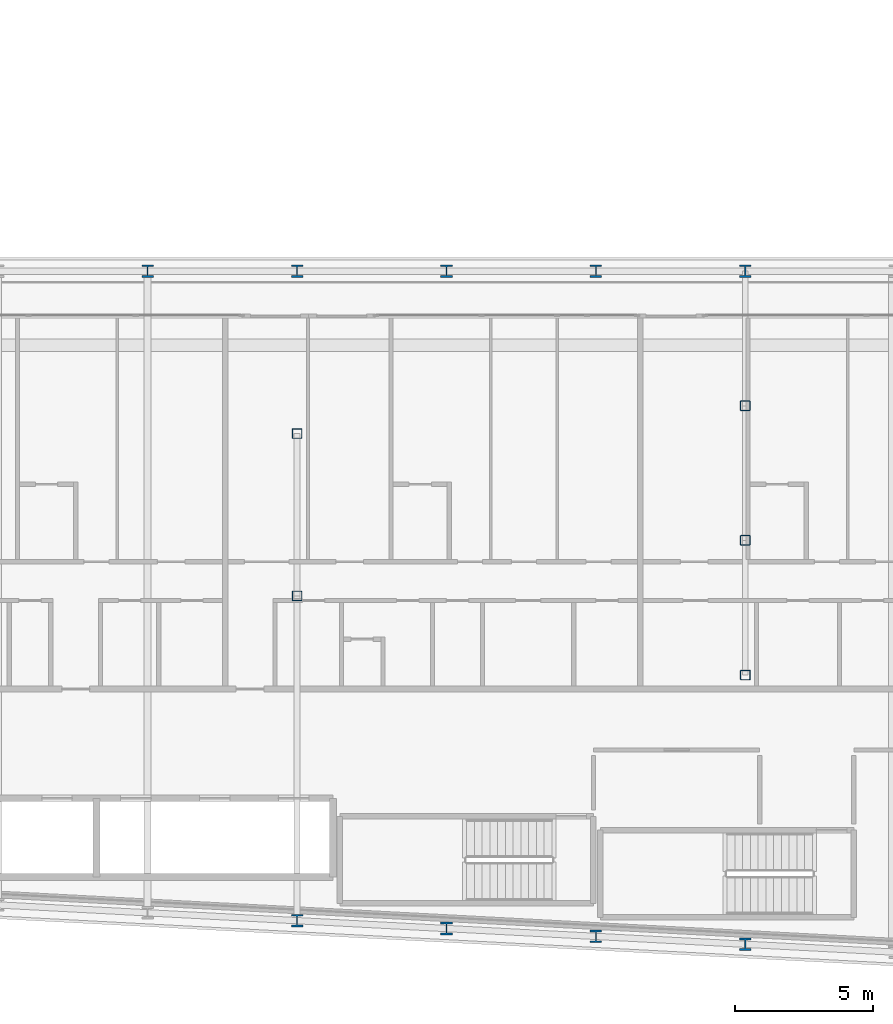
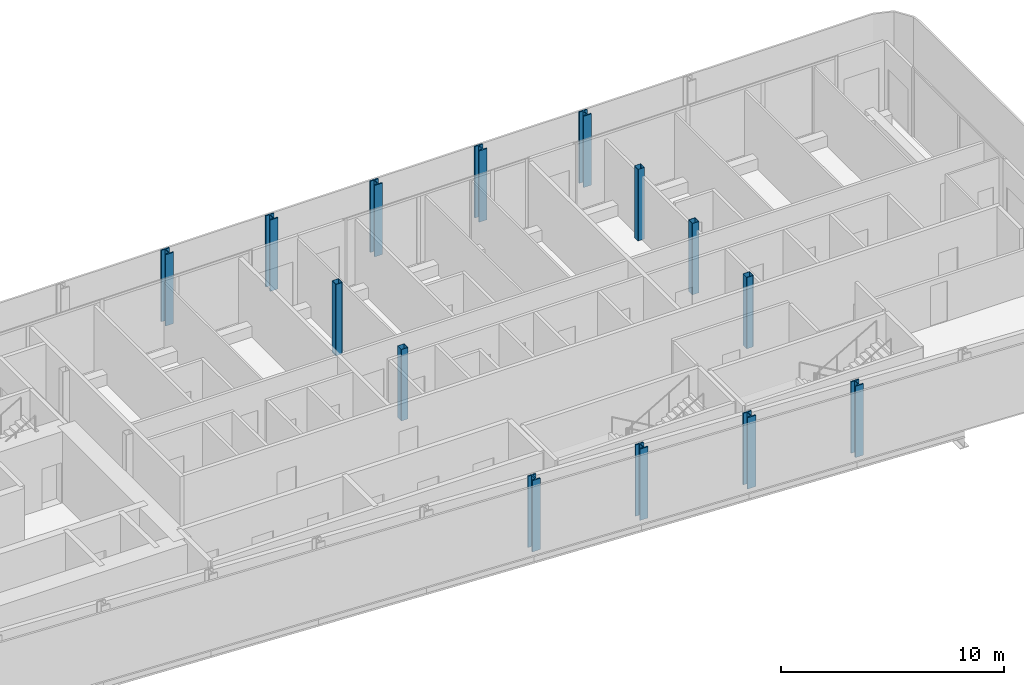
# One storey, part 2 of 29: 14 columns.
"""IFC4 building model written with IfcOpenShell, lengths in metres."""

from ifc_helpers import new_model, si_unit, direction, frame, origin, origin_2d, place, context, subcontext, project, spatial, hollow_rectangle, i_section, extrude, material, material_profile, profile_set, type_object, element, save


model = new_model("IFC4")

# Units and contexts
model_context = context("Model", 3, precision=1e-05, world=origin(), true_north=direction((0.0, 1.0)))
body_context = subcontext(model_context, "Body", "Model", "MODEL_VIEW")
ifc_project = project(units=[si_unit("LENGTHUNIT", "METRE"), si_unit("AREAUNIT", "SQUARE_METRE"), si_unit("VOLUMEUNIT", "CUBIC_METRE"), si_unit("PLANEANGLEUNIT", "RADIAN"), si_unit("MASSUNIT", "GRAM", prefix="KILO")], contexts=[model_context])

# Site, building, storey
site_placement = place(None, origin())
site = spatial("IfcSite", under=ifc_project, at=site_placement, CompositionType="ELEMENT")
building_placement = place(site_placement, origin())
building = spatial("IfcBuilding", under=site, at=building_placement, Name="Kheshtan School and Residences Tower", CompositionType="ELEMENT")
storey_placement = place(building_placement, frame((0.0, 0.0, 117.5)))
storey = spatial("IfcBuildingStorey", under=building, at=storey_placement, Name="L27", CompositionType="ELEMENT", Elevation=117.5)

# Columns
ifc_material_1 = material(Name="Steel ASTM A992 Grade 50", Category="steel")
ifc_material_profile_1 = material_profile(ifc_material_1, i_section(OverallWidth=0.41796875, OverallDepth=0.455078125, WebThickness=0.042236328125, FlangeThickness=0.067626953125, FilletRadius=0.013671875, at=origin_2d()), Name="W360x551")
ifc_profile_set_1 = profile_set([ifc_material_profile_1], Name="Steel ASTM A992 Grade 50")
column_type_1 = type_object("IfcColumnType", Name="Column C2 W360x551 ASTM A992 Grade 50", PredefinedType="COLUMN", material=ifc_profile_set_1)
for number, where, z_axis, x_axis, name in (
    (1, (85.39990234375, 21.27392578125, 0.0), (0.0, 0.0, 1.0), (1.0, 0.0, 0.0), "Column C008"),
    (2, (80.0, 21.55810546875, 0.0), (0.0, 0.0, 1.0), (1.0, 0.0, 0.0), "Column C012"),
    (3, (74.60009765625, 21.843017578125, 0.0), (0.0, 0.0, 1.0), (1.0, 0.0, 0.0), "Column C013"),
    (4, (69.199951171875, 22.126953125, 0.0), (0.0, 0.0, 1.0), (1.0, 0.0, 0.0), "Column C014"),
    (5, (63.800048828125, 45.60009765625, 0.0), (0.0, 0.0, 1.0), (1.0, 0.0, 0.0), "Column C063"),
    (6, (69.199951171875, 45.60009765625, 0.0), (0.0, 0.0, 1.0), (1.0, 0.0, 0.0), "Column C064"),
    (7, (74.60009765625, 45.60009765625, 0.0), (0.0, 0.0, 1.0), (1.0, 0.0, 0.0), "Column C065"),
    (8, (80.0, 45.60009765625, 0.0), (0.0, 0.0, 1.0), (1.0, 0.0, 0.0), "Column C066"),
    (9, (85.39990234375, 45.60009765625, 0.0), (0.0, 0.0, 1.0), (1.0, 0.0, 0.0), "Column C067"),
):
    element("IfcColumn", number, at=place(storey_placement, frame(where, z_axis=z_axis, x_axis=x_axis)), inside=storey, type_object=column_type_1, Name=name, PredefinedType="COLUMN", context=body_context, shape_type="SweptSolid", body=[
        extrude(i_section(OverallWidth=0.41796875, OverallDepth=0.455078125, WebThickness=0.042236328125, FlangeThickness=0.067626953125, FilletRadius=0.013671875, at=origin_2d()), origin(), (0.0, 0.0, 1.0), 3.89990234375),
    ])
ifc_material_2 = material(Name="Steel ASTM A500 Grade C", Category="steel")
ifc_material_profile_2 = material_profile(ifc_material_2, hollow_rectangle(XDim=0.35595703125, YDim=0.35595703125, WallThickness=0.015869140625, InnerFilletRadius=0.015869140625, OuterFilletRadius=0.03173828125, at=origin_2d()), Name="HSS 356x356x15.9")
ifc_profile_set_2 = profile_set([ifc_material_profile_2], Name="Steel ASTM A500 Grade C")
column_type_2 = type_object("IfcColumnType", Name="Column IC1 HSS 356x356x15.9 ASTM A500 Grade C", PredefinedType="COLUMN", material=ifc_profile_set_2)
for number, where, z_axis, x_axis, name in (
    (10, (85.39990234375, 31.0048828125, 0.0), (0.0, 0.0, 1.0), (1.0, 0.0, 0.0), "Column C049"),
    (11, (69.199951171875, 33.863037109375, 0.0), (0.0, 0.0, 1.0), (1.0, 0.0, 0.0), "Column C050"),
    (12, (85.39990234375, 35.8701171875, 0.0), (0.0, 0.0, 1.0), (1.0, 0.0, 0.0), "Column C053"),
    (13, (69.199951171875, 39.73193359375, 0.0), (0.0, 0.0, 1.0), (1.0, 0.0, 0.0), "Column C054"),
    (14, (85.39990234375, 40.735107421875, 0.0), (0.0, 0.0, 1.0), (1.0, 0.0, 0.0), "Column C057"),
):
    element("IfcColumn", number, at=place(storey_placement, frame(where, z_axis=z_axis, x_axis=x_axis)), inside=storey, type_object=column_type_2, Name=name, PredefinedType="COLUMN", context=body_context, shape_type="SweptSolid", body=[
        extrude(hollow_rectangle(XDim=0.35595703125, YDim=0.35595703125, WallThickness=0.015869140625, InnerFilletRadius=0.015869140625, OuterFilletRadius=0.03173828125, at=origin_2d()), origin(), (0.0, 0.0, 1.0), 3.89990234375),
    ])

save(model, "model.ifc")
